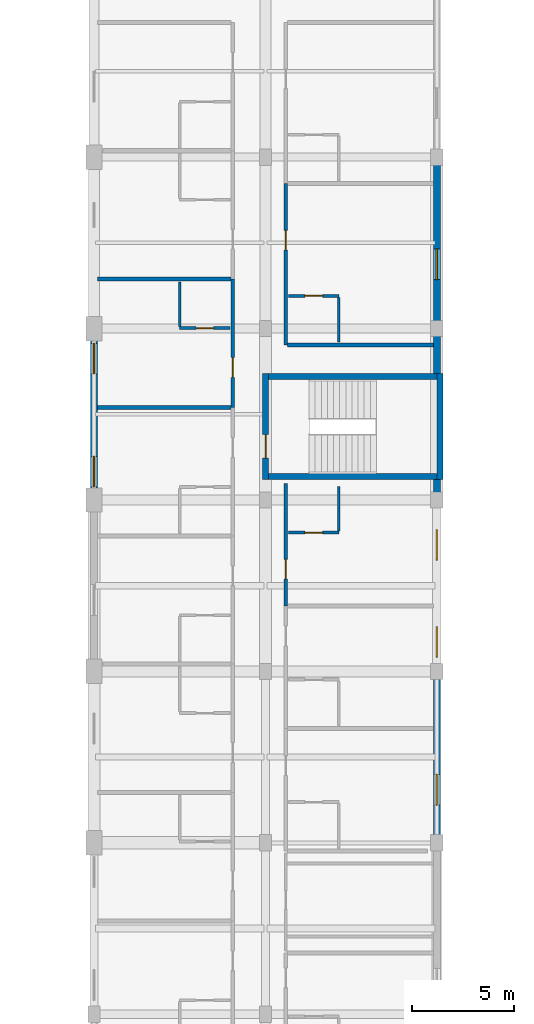
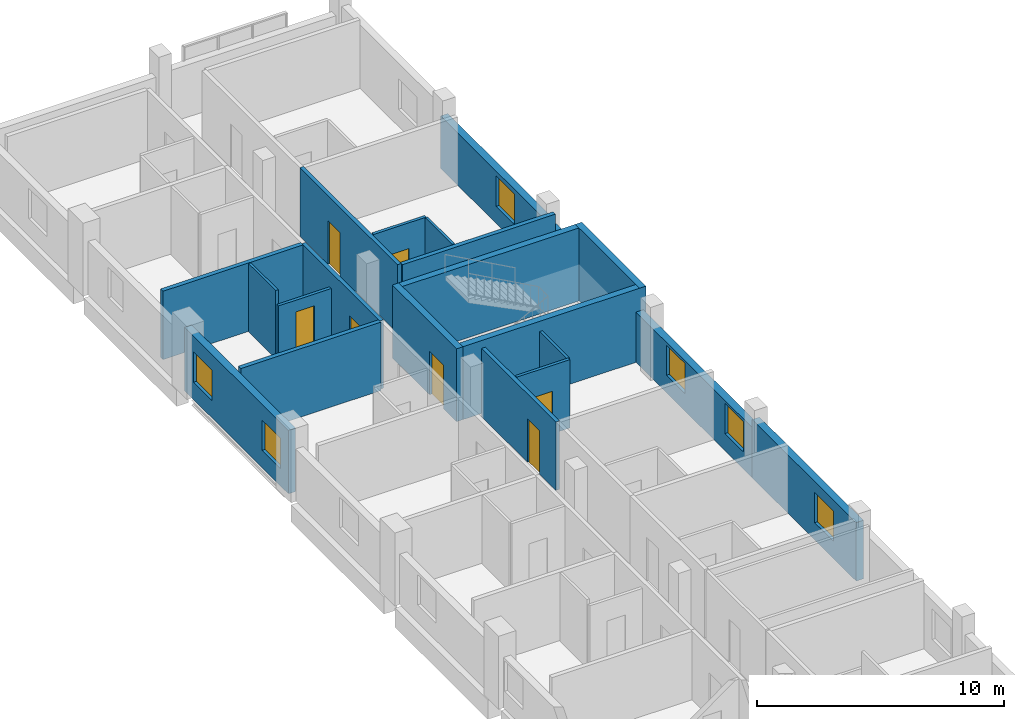
# One storey, part 17 of 26: 21 walls, 7 doors, 6 windows, 13 openings.
"""IFC4 building model written with IfcOpenShell, lengths in metres."""

import ifcopenshell
import ifcopenshell.guid

model = None  # the IFC model being written
_history = None  # IfcOwnerHistory: only IFC2X3 demands one
_inside = {}  # id of a spatial element -> (the spatial element, [elements in it])
_under = {}  # id of a project, library or spatial element -> (it, [spatial elements below it])
_declared = {}  # id of a project -> (the project, [libraries it declares])
_typed = {}  # id of a type object -> (the type object, [elements of that type])
_made_of = {}  # id of a material, layer set ... -> (it, [elements and type objects made of it])


def new_model(schema):
    """Start an empty IFC model of exactly this schema.

    Asked for "IFC4X3", IfcOpenShell would pick the latest addendum, in which some entities
    have other attributes; the version numbers below select the first issue.
    IFC2X3 requires an IfcOwnerHistory on every rooted entity: one is made here for all.
    """
    global model, _history
    if schema == "IFC4X3":
        model = ifcopenshell.file(schema_version=(4, 3, 0, 0))
    else:
        model = ifcopenshell.file(schema=schema)
    _inside.clear()
    _under.clear()
    _declared.clear()
    _typed.clear()
    _made_of.clear()
    _history = None
    if model.schema == "IFC2X3":
        org = make("IfcOrganization", Name="unknown")
        user = make(
            "IfcPersonAndOrganization",
            ThePerson=make("IfcPerson", FamilyName="unknown"),
            TheOrganization=org,
        )
        app = make(
            "IfcApplication",
            ApplicationDeveloper=org,
            Version="unknown",
            ApplicationFullName="unknown",
            ApplicationIdentifier="unknown",
        )
        _history = make(
            "IfcOwnerHistory",
            OwningUser=user,
            OwningApplication=app,
            ChangeAction="ADDED",
            CreationDate=0,
        )
    return model


def make(cls, **values):
    """One entity of the class cls with the attributes given. An attribute that is None is left unset."""
    return model.create_entity(
        cls, **{name: value for name, value in values.items() if value is not None}
    )


def rooted(cls, **values):
    """An entity with a GlobalId (a new one), such as an element, a storey or a relation."""
    return make(cls, GlobalId=ifcopenshell.guid.new(), OwnerHistory=_history, **values)


def si_unit(unit_type, name, prefix=None):
    """IfcSIUnit, for example si_unit("LENGTHUNIT", "METRE", prefix="MILLI")."""
    return make("IfcSIUnit", UnitType=unit_type, Prefix=prefix, Name=name)


def derived_unit(unit_type, elements):
    """IfcDerivedUnit: a product of units, each with its exponent."""
    return make(
        "IfcDerivedUnit",
        Elements=[
            make("IfcDerivedUnitElement", Unit=unit, Exponent=power)
            for unit, power in elements
        ],
        UnitType=unit_type,
    )


def assignment(units):
    """IfcUnitAssignment: the units of a project."""
    return None if units is None else make("IfcUnitAssignment", Units=units)


def point(xyz):
    """IfcCartesianPoint."""
    return None if xyz is None else make("IfcCartesianPoint", Coordinates=xyz)


def direction(xyz):
    """IfcDirection."""
    return None if xyz is None else make("IfcDirection", DirectionRatios=xyz)


def frame(location, z_axis=None, x_axis=None):
    """IfcAxis2Placement3D, a coordinate frame: its origin and axes. An axis left out is left unset."""
    return make(
        "IfcAxis2Placement3D",
        Location=point(location),
        Axis=direction(z_axis),
        RefDirection=direction(x_axis),
    )


def frame_2d(location, x_axis=None):
    """IfcAxis2Placement2D, a coordinate frame in the plane: its origin and x axis."""
    return make(
        "IfcAxis2Placement2D", Location=point(location), RefDirection=direction(x_axis)
    )


def origin():
    """The frame at (0, 0, 0) with its axes left unset."""
    return frame((0.0, 0.0, 0.0))


def place(relative_to, where):
    """IfcLocalPlacement: puts the frame where relative to a parent placement (None: the world)."""
    return make(
        "IfcLocalPlacement", PlacementRelTo=relative_to, RelativePlacement=where
    )


def context(
    kind, dimensions, precision=None, world=None, true_north=None, identifier=None
):
    """IfcGeometricRepresentationContext, for example the 3D "Model" context."""
    return make(
        "IfcGeometricRepresentationContext",
        ContextIdentifier=identifier,
        ContextType=kind,
        CoordinateSpaceDimension=dimensions,
        Precision=precision,
        WorldCoordinateSystem=world,
        TrueNorth=true_north,
    )


def subcontext(parent, identifier, kind, view, scale=None):
    """IfcGeometricRepresentationSubContext, for example "Body" below "Model"."""
    return make(
        "IfcGeometricRepresentationSubContext",
        ContextIdentifier=identifier,
        ContextType=kind,
        ParentContext=parent,
        TargetScale=scale,
        TargetView=view,
    )


def project(units=None, contexts=None):
    """IfcProject with its units and contexts."""
    return rooted(
        "IfcProject",
        Name="project",
        RepresentationContexts=contexts,
        UnitsInContext=assignment(units),
    )


def spatial(cls, under=None, at=None, **own):
    """A site, building, storey or space (cls), placed at a placement, below another one or the project."""
    s = rooted(cls, ObjectPlacement=at, **own)
    if under is not None:
        _under.setdefault(under.id(), (under, []))[1].append(s)
    return s


def profile(cls, at=None, kind="AREA", **sizes):
    """A parametric profile (cls). Its sizes go by their IFC names, for example OverallWidth=200.0."""
    return make(cls, ProfileType=kind, Position=at, **sizes)


def rectangle(**sizes):
    """IfcRectangleProfileDef."""
    return profile("IfcRectangleProfileDef", **sizes)


def extrude(swept, where, along, depth):
    """IfcExtrudedAreaSolid: the profile swept, set in the frame where, extruded along a direction by depth."""
    return make(
        "IfcExtrudedAreaSolid",
        SweptArea=swept,
        Position=where,
        ExtrudedDirection=direction(along),
        Depth=depth,
    )


def shape(context_of_items, identifier, shape_type, items):
    """IfcShapeRepresentation: the items that make up one representation, for example the "Body"."""
    return make(
        "IfcShapeRepresentation",
        ContextOfItems=context_of_items,
        RepresentationIdentifier=identifier,
        RepresentationType=shape_type,
        Items=items,
    )


def material(Name=None, Category=None):
    """IfcMaterial."""
    return make("IfcMaterial", Name=Name, Category=Category)


def layer(
    of_material, thickness, ventilated=None, Name=None, Category=None, Priority=None
):
    """IfcMaterialLayer: one layer of a wall or slab, of a material (None: an air gap)."""
    return make(
        "IfcMaterialLayer",
        Material=of_material,
        LayerThickness=thickness,
        IsVentilated=ventilated,
        Name=Name,
        Category=Category,
        Priority=Priority,
    )


def layer_set(layers, Name=None):
    """IfcMaterialLayerSet."""
    return make("IfcMaterialLayerSet", MaterialLayers=layers, LayerSetName=Name)


def made_of(thing, what):
    """Note that an element or type object is made of a material, layer set ...; save() writes the relation."""
    if what is not None:
        _made_of.setdefault(what.id(), (what, []))[1].append(thing)
    return thing


def type_object(cls, material=None, **own):
    """A type object (cls), such as IfcWallType, which elements share."""
    return made_of(rooted(cls, **own), material)


def element(
    cls,
    number,
    at=None,
    inside=None,
    cuts=None,
    type_object=None,
    material=None,
    context=None,
    identifier="Body",
    shape_type=None,
    held_by="IfcProductDefinitionShape",
    body=None,
    shapes=None,
    **own,
):
    """One element of the class cls, such as IfcWall. Its Tag is "e" and its number.

    at: its placement. inside: the storey or other place that contains it. cuts: it is an
    opening in that element (IfcRelVoidsElement). A single representation is given by context,
    identifier, shape_type and body (its items); several are given by shapes. held_by: the class
    of the entity that holds the representations. save() writes the other relations.
    """
    e = rooted(cls, Tag="e%d" % number, ObjectPlacement=at, **own)
    if body is not None:
        shapes = [shape(context, identifier, shape_type, body)]
    if shapes is not None:
        e.Representation = make(held_by, Representations=shapes)
    if inside is not None:
        _inside.setdefault(inside.id(), (inside, []))[1].append(e)
    if cuts is not None:
        rooted(
            "IfcRelVoidsElement", RelatingBuildingElement=cuts, RelatedOpeningElement=e
        )
    if type_object is not None:
        _typed.setdefault(type_object.id(), (type_object, []))[1].append(e)
    return made_of(e, material)


def fill(opening, filler):
    """IfcRelFillsElement: the door or window that sits in an opening."""
    return rooted(
        "IfcRelFillsElement",
        RelatingOpeningElement=opening,
        RelatedBuildingElement=filler,
    )


def aggregate(whole, parts):
    """IfcRelAggregates: a whole, such as a stair, and the parts it consists of."""
    return rooted("IfcRelAggregates", RelatingObject=whole, RelatedObjects=parts)


def save(model, path):
    """Write the relations noted so far, then the file.

    IfcRelAggregates (storeys below a building ...), IfcRelContainedInSpatialStructure (elements
    in a storey), IfcRelDefinesByType, IfcRelAssociatesMaterial and IfcRelDeclares: one each for
    every whole, place, type object, material and project.
    """
    for whole, parts in _under.values():
        aggregate(whole, parts)
    for where, things in _inside.values():
        rooted(
            "IfcRelContainedInSpatialStructure",
            RelatedElements=things,
            RelatingStructure=where,
        )
    for kind, things in _typed.values():
        rooted("IfcRelDefinesByType", RelatedObjects=things, RelatingType=kind)
    for what, things in _made_of.values():
        rooted("IfcRelAssociatesMaterial", RelatedObjects=things, RelatingMaterial=what)
    for by, libraries in _declared.values():
        rooted("IfcRelDeclares", RelatingContext=by, RelatedDefinitions=libraries)
    model.write(path)


model = new_model("IFC4")

# Units and contexts
model_context = context("Model", 3, precision=1e-05, world=origin(), true_north=direction((0.0, 1.0)))
body_context = subcontext(model_context, "Body", "Model", "MODEL_VIEW")
ifc_project = project(units=[si_unit("LENGTHUNIT", "METRE"), si_unit("AREAUNIT", "SQUARE_METRE"), si_unit("VOLUMEUNIT", "CUBIC_METRE"), si_unit("PLANEANGLEUNIT", "RADIAN"), si_unit("MASSUNIT", "GRAM", prefix="KILO"), derived_unit("THERMALTRANSMITTANCEUNIT", [(si_unit("POWERUNIT", "WATT"), 1), (si_unit("LENGTHUNIT", "METRE"), -2), (si_unit("THERMODYNAMICTEMPERATUREUNIT", "KELVIN"), -1)])], contexts=[model_context])

# Site, building, storey
site_placement = place(None, origin())
site = spatial("IfcSite", under=ifc_project, at=site_placement, CompositionType="ELEMENT")
building_placement = place(site_placement, origin())
building = spatial("IfcBuilding", under=site, at=building_placement, Name="Barrovel Congress Hotel", CompositionType="ELEMENT")
storey_placement = place(building_placement, frame((0.0, 0.0, 21.89990234375)))
storey = spatial("IfcBuildingStorey", under=building, at=storey_placement, Name="L05", CompositionType="ELEMENT", Elevation=21.89990234375)

# Wall, openings, windows
ifc_material_1 = material(Name="Fired Clay Brick Masonry", Category="masonry")
ifc_layer_1 = layer(ifc_material_1, 0.340087890625)
ifc_layer_set_1 = layer_set([ifc_layer_1], Name="Fired Clay Brick Masonry")
wall_type_1 = type_object("IfcWallType", Name="EW-BRK340", PredefinedType="STANDARD", material=ifc_layer_set_1)
wall_1_placement = place(storey_placement, frame((50.39990234375, 46.199951171875, 0.0), z_axis=(0.0, 0.0, 1.0), x_axis=(0.0, 1.0, 0.0)))
wall_1 = element("IfcWall", 1, at=wall_1_placement, inside=storey, type_object=wall_type_1, Name="EW:L05:HW-E-1", PredefinedType="STANDARD", context=body_context, shape_type="SweptSolid", body=[
    extrude(rectangle(XDim=9.400146484375, YDim=0.340087890625, at=frame_2d((4.7001953125, 0.0))), origin(), (0.0, 0.0, 1.0), 2.47998046875),
])
opening_1_placement = place(wall_1_placement, frame((0.699951171875, 0.0, 0.85009765625)))
opening_1 = element("IfcOpeningElement", 2, at=opening_1_placement, cuts=wall_1, Name="Opening WN-07", PredefinedType="OPENING", context=body_context, shape_type="SweptSolid", body=[
    extrude(rectangle(XDim=1.5, YDim=1.5, at=frame_2d((0.75, 0.75))), frame((0.0, 0.18017578125, 0.0), z_axis=(0.0, -1.0, 0.0), x_axis=(1.0, 0.0, 0.0)), (0.0, 0.0, 1.0), 0.360107421875),
])
opening_2_placement = place(wall_1_placement, frame((5.449951171875, 0.0, 0.85009765625)))
opening_2 = element("IfcOpeningElement", 3, at=opening_2_placement, cuts=wall_1, Name="Opening WN-07", PredefinedType="OPENING", context=body_context, shape_type="SweptSolid", body=[
    extrude(rectangle(XDim=1.5, YDim=1.5, at=frame_2d((0.75, 0.75))), frame((0.0, 0.18017578125, 0.0), z_axis=(0.0, -1.0, 0.0), x_axis=(1.0, 0.0, 0.0)), (0.0, 0.0, 1.0), 0.360107421875),
])
ifc_material_2 = material(Name="Double Low-E Insulated Glazing", Category="glass")
window_type = type_object("IfcWindowType", Name="WIN-WN-07", PartitioningType="SINGLE_PANEL", PredefinedType="WINDOW", material=ifc_material_2)
window_1_placement = place(opening_1_placement, origin())
window_1 = element("IfcWindow", 4, at=window_1_placement, inside=storey, type_object=window_type, Name="WIN:L05:U45", OverallHeight=1.5, OverallWidth=1.5, PartitioningType="SINGLE_PANEL", PredefinedType="WINDOW", context=body_context, shape_type="SweptSolid", body=[
    extrude(rectangle(XDim=1.5, YDim=1.5, at=frame_2d((0.75, 0.75))), frame((0.0, 0.030029296875, 0.0), z_axis=(0.0, -1.0, 0.0), x_axis=(1.0, 0.0, 0.0)), (0.0, 0.0, 1.0), 0.06005859375),
])
fill(opening_1, window_1)
window_2_placement = place(opening_2_placement, origin())
window_2 = element("IfcWindow", 5, at=window_2_placement, inside=storey, type_object=window_type, Name="WIN:L05:U46", OverallHeight=1.5, OverallWidth=1.5, PartitioningType="SINGLE_PANEL", PredefinedType="WINDOW", context=body_context, shape_type="SweptSolid", body=[
    extrude(rectangle(XDim=1.5, YDim=1.5, at=frame_2d((0.75, 0.75))), frame((0.0, 0.030029296875, 0.0), z_axis=(0.0, -1.0, 0.0), x_axis=(1.0, 0.0, 0.0)), (0.0, 0.0, 1.0), 0.06005859375),
])
fill(opening_2, window_2)

# Wall, opening, window
wall_2_placement = place(storey_placement, frame((50.39990234375, 37.800048828125, 0.0), z_axis=(0.0, 0.0, 1.0), x_axis=(0.0, 1.0, 0.0)))
wall_2 = element("IfcWall", 6, at=wall_2_placement, inside=storey, type_object=wall_type_1, Name="EW:L05:HW-E-1:P03", PredefinedType="STANDARD", context=body_context, shape_type="SweptSolid", body=[
    extrude(rectangle(XDim=8.39990234375, YDim=0.340087890625, at=frame_2d((4.199951171875, 0.0))), origin(), (0.0, 0.0, 1.0), 2.880126953125),
])
opening_3_placement = place(wall_2_placement, frame((1.85009765625, 0.0, 0.85009765625)))
opening_3 = element("IfcOpeningElement", 7, at=opening_3_placement, cuts=wall_2, Name="Opening WN-07", PredefinedType="OPENING", context=body_context, shape_type="SweptSolid", body=[
    extrude(rectangle(XDim=1.5, YDim=1.5, at=frame_2d((0.75, 0.75))), frame((0.0, 0.18017578125, 0.0), z_axis=(0.0, -1.0, 0.0), x_axis=(1.0, 0.0, 0.0)), (0.0, 0.0, 1.0), 0.360107421875),
])
window_3_placement = place(opening_3_placement, origin())
window_3 = element("IfcWindow", 8, at=window_3_placement, inside=storey, type_object=window_type, Name="WIN:L05:U44", OverallHeight=1.5, OverallWidth=1.5, PartitioningType="SINGLE_PANEL", PredefinedType="WINDOW", context=body_context, shape_type="SweptSolid", body=[
    extrude(rectangle(XDim=1.5, YDim=1.5, at=frame_2d((0.75, 0.75))), frame((0.0, 0.030029296875, 0.0), z_axis=(0.0, -1.0, 0.0), x_axis=(1.0, 0.0, 0.0)), (0.0, 0.0, 1.0), 0.06005859375),
])
fill(opening_3, window_3)

# Wall
wall_3_placement = place(storey_placement, frame((50.39990234375, 60.800048828125, 0.0), z_axis=(0.0, 0.0, 1.0), x_axis=(0.0, 1.0, 0.0)))
element("IfcWall", 9, at=wall_3_placement, inside=storey, type_object=wall_type_1, Name="EW:L05:HW-E-2:P01", PredefinedType="STANDARD", context=body_context, shape_type="SweptSolid", body=[
    extrude(rectangle(XDim=2.199951171875, YDim=0.340087890625, at=frame_2d((1.10009765625, 0.0))), origin(), (0.0, 0.0, 1.0), 2.47998046875),
])

# Wall, opening, window
wall_4_placement = place(storey_placement, frame((50.39990234375, 63.0, 0.0), z_axis=(0.0, 0.0, 1.0), x_axis=(0.0, 1.0, 0.0)))
wall_4 = element("IfcWall", 10, at=wall_4_placement, inside=storey, type_object=wall_type_1, Name="EW:L05:HW-E-2:P02", PredefinedType="STANDARD", context=body_context, shape_type="SweptSolid", body=[
    extrude(rectangle(XDim=8.39990234375, YDim=0.340087890625, at=frame_2d((4.199951171875, 0.0))), origin(), (0.0, 0.0, 1.0), 2.580078125),
])
opening_4_placement = place(wall_4_placement, frame((2.39990234375, 0.0, 0.85009765625)))
opening_4 = element("IfcOpeningElement", 11, at=opening_4_placement, cuts=wall_4, Name="Opening WN-07", PredefinedType="OPENING", context=body_context, shape_type="SweptSolid", body=[
    extrude(rectangle(XDim=1.5, YDim=1.5, at=frame_2d((0.75, 0.75))), frame((0.0, 0.18017578125, 0.0), z_axis=(0.0, -1.0, 0.0), x_axis=(1.0, 0.0, 0.0)), (0.0, 0.0, 1.0), 0.360107421875),
])
window_4_placement = place(opening_4_placement, origin())
window_4 = element("IfcWindow", 12, at=window_4_placement, inside=storey, type_object=window_type, Name="WIN:L05:U47", OverallHeight=1.5, OverallWidth=1.5, PartitioningType="SINGLE_PANEL", PredefinedType="WINDOW", context=body_context, shape_type="SweptSolid", body=[
    extrude(rectangle(XDim=1.5, YDim=1.5, at=frame_2d((0.75, 0.75))), frame((0.0, 0.030029296875, 0.0), z_axis=(0.0, -1.0, 0.0), x_axis=(1.0, 0.0, 0.0)), (0.0, 0.0, 1.0), 0.06005859375),
])
fill(opening_4, window_4)

# Wall, openings, windows
wall_5_placement = place(storey_placement, frame((33.60009765625, 63.0, 0.0), z_axis=(0.0, 0.0, 1.0), x_axis=(0.0, -1.0, 0.0)))
wall_5 = element("IfcWall", 13, at=wall_5_placement, inside=storey, type_object=wall_type_1, Name="EW:L05:HW-W:P02", PredefinedType="STANDARD", context=body_context, shape_type="SweptSolid", body=[
    extrude(rectangle(XDim=8.39990234375, YDim=0.340087890625, at=frame_2d((4.199951171875, 0.0))), origin(), (0.0, 0.0, 1.0), 3.1259765625),
])
opening_5_placement = place(wall_5_placement, frame((6.26123046875, 0.0, 0.85009765625)))
opening_5 = element("IfcOpeningElement", 14, at=opening_5_placement, cuts=wall_5, Name="Opening WN-07", PredefinedType="OPENING", context=body_context, shape_type="SweptSolid", body=[
    extrude(rectangle(XDim=1.5, YDim=1.5, at=frame_2d((0.75, 0.75))), frame((0.0, 0.18017578125, 0.0), z_axis=(0.0, -1.0, 0.0), x_axis=(1.0, 0.0, 0.0)), (0.0, 0.0, 1.0), 0.360107421875),
])
opening_6_placement = place(wall_5_placement, frame((0.722412109375, 0.0, 0.85009765625)))
opening_6 = element("IfcOpeningElement", 15, at=opening_6_placement, cuts=wall_5, Name="Opening WN-07", PredefinedType="OPENING", context=body_context, shape_type="SweptSolid", body=[
    extrude(rectangle(XDim=1.5, YDim=1.5, at=frame_2d((0.75, 0.75))), frame((0.0, 0.18017578125, 0.0), z_axis=(0.0, -1.0, 0.0), x_axis=(1.0, 0.0, 0.0)), (0.0, 0.0, 1.0), 0.360107421875),
])
window_5_placement = place(opening_5_placement, origin())
window_5 = element("IfcWindow", 16, at=window_5_placement, inside=storey, type_object=window_type, Name="WIN:L05:U38", OverallHeight=1.5, OverallWidth=1.5, PartitioningType="SINGLE_PANEL", PredefinedType="WINDOW", context=body_context, shape_type="SweptSolid", body=[
    extrude(rectangle(XDim=1.5, YDim=1.5, at=frame_2d((0.75, 0.75))), frame((0.0, 0.030029296875, 0.0), z_axis=(0.0, -1.0, 0.0), x_axis=(1.0, 0.0, 0.0)), (0.0, 0.0, 1.0), 0.06005859375),
])
fill(opening_5, window_5)
window_6_placement = place(opening_6_placement, origin())
window_6 = element("IfcWindow", 17, at=window_6_placement, inside=storey, type_object=window_type, Name="WIN:L05:U39", OverallHeight=1.5, OverallWidth=1.5, PartitioningType="SINGLE_PANEL", PredefinedType="WINDOW", context=body_context, shape_type="SweptSolid", body=[
    extrude(rectangle(XDim=1.5, YDim=1.5, at=frame_2d((0.75, 0.75))), frame((0.0, 0.030029296875, 0.0), z_axis=(0.0, -1.0, 0.0), x_axis=(1.0, 0.0, 0.0)), (0.0, 0.0, 1.0), 0.06005859375),
])
fill(opening_6, window_6)

# Wall, opening, door
ifc_material_3 = material(Name="Gypsum Acoustic Stud", Category="gypsum")
ifc_layer_2 = layer(ifc_material_3, 0.179931640625)
ifc_layer_set_2 = layer_set([ifc_layer_2], Name="Gypsum Acoustic Stud")
wall_type_2 = type_object("IfcWallType", Name="PW-ACU-180", PredefinedType="PARTITIONING", material=ifc_layer_set_2)
wall_6_placement = place(storey_placement, frame((40.39990234375, 59.13330078125, 0.0), z_axis=(0.0, 0.0, 1.0), x_axis=(0.0, 1.0, 0.0)))
wall_6 = element("IfcWall", 18, at=wall_6_placement, inside=storey, type_object=wall_type_2, Name="PW:L05:U39:COR", PredefinedType="PARTITIONING", context=body_context, shape_type="SweptSolid", body=[
    extrude(rectangle(XDim=6.288818359375, YDim=0.179931640625, at=frame_2d((3.14453125, 0.0))), origin(), (0.0, 0.0, 1.0), 3.375),
])
opening_7_placement = place(wall_6_placement, frame((1.4794921875, 0.0, 0.0)))
opening_7 = element("IfcOpeningElement", 19, at=opening_7_placement, cuts=wall_6, Name="Opening ID-HTL", PredefinedType="OPENING", context=body_context, shape_type="SweptSolid", body=[
    extrude(rectangle(XDim=0.9599609375, YDim=2.14990234375, at=frame_2d((0.47998046875, 1.074951171875))), frame((0.0, 0.10009765625, 0.0), z_axis=(0.0, -1.0, 0.0), x_axis=(1.0, 0.0, 0.0)), (0.0, 0.0, 1.0), 0.199951171875),
])
ifc_material_4 = material(Name="Solid Oak Acoustic Timber Door", Category="wood")
door_type_1 = type_object("IfcDoorType", Name="IDR-ID-HTL", OperationType="NOTDEFINED", PredefinedType="DOOR", material=ifc_material_4)
door_1_placement = place(opening_7_placement, origin())
door_1 = element("IfcDoor", 20, at=door_1_placement, inside=storey, type_object=door_type_1, Name="DR:L05:U39:ENT", OperationType="SINGLE_SWING_RIGHT", OverallHeight=2.14990234375, OverallWidth=0.9599609375, PredefinedType="DOOR", context=body_context, shape_type="SweptSolid", body=[
    extrude(rectangle(XDim=0.9599609375, YDim=2.14990234375, at=frame_2d((0.47998046875, 1.074951171875))), frame((0.0, 0.02490234375, 0.0), z_axis=(0.0, -1.0, 0.0), x_axis=(1.0, 0.0, 0.0)), (0.0, 0.0, 1.0), 0.050048828125),
])
fill(opening_7, door_1)

wall_7_placement = place(storey_placement, frame((43.0, 49.39990234375, 0.0), z_axis=(0.0, 0.0, 1.0), x_axis=(0.0, 1.0, 0.0)))
wall_7 = element("IfcWall", 21, at=wall_7_placement, inside=storey, type_object=wall_type_2, Name="PW:L05:U46:COR", PredefinedType="PARTITIONING", context=body_context, shape_type="SweptSolid", body=[
    extrude(rectangle(XDim=6.0, YDim=0.179931640625, at=frame_2d((3.0, 0.0))), origin(), (0.0, 0.0, 1.0), 3.375),
])
opening_8_placement = place(wall_7_placement, frame((1.3349609375, 0.0, 0.0)))
opening_8 = element("IfcOpeningElement", 22, at=opening_8_placement, cuts=wall_7, Name="Opening ID-HTL", PredefinedType="OPENING", context=body_context, shape_type="SweptSolid", body=[
    extrude(rectangle(XDim=0.9599609375, YDim=2.14990234375, at=frame_2d((0.47998046875, 1.074951171875))), frame((0.0, 0.10009765625, 0.0), z_axis=(0.0, -1.0, 0.0), x_axis=(1.0, 0.0, 0.0)), (0.0, 0.0, 1.0), 0.199951171875),
])
door_2_placement = place(opening_8_placement, origin())
door_2 = element("IfcDoor", 23, at=door_2_placement, inside=storey, type_object=door_type_1, Name="DR:L05:U46:ENT", OperationType="SINGLE_SWING_RIGHT", OverallHeight=2.14990234375, OverallWidth=0.9599609375, PredefinedType="DOOR", context=body_context, shape_type="SweptSolid", body=[
    extrude(rectangle(XDim=0.9599609375, YDim=2.14990234375, at=frame_2d((0.47998046875, 1.074951171875))), frame((0.0, 0.02490234375, 0.0), z_axis=(0.0, -1.0, 0.0), x_axis=(1.0, 0.0, 0.0)), (0.0, 0.0, 1.0), 0.050048828125),
])
fill(opening_8, door_2)

wall_8_placement = place(storey_placement, frame((43.0, 62.199951171875, 0.0), z_axis=(0.0, 0.0, 1.0), x_axis=(0.0, 1.0, 0.0)))
wall_8 = element("IfcWall", 24, at=wall_8_placement, inside=storey, type_object=wall_type_2, Name="PW:L05:U47:COR", PredefinedType="PARTITIONING", context=body_context, shape_type="SweptSolid", body=[
    extrude(rectangle(XDim=7.900146484375, YDim=0.179931640625, at=frame_2d((3.9501953125, 0.0))), origin(), (0.0, 0.0, 1.0), 3.375),
])
opening_9_placement = place(wall_8_placement, frame((4.655029296875, 0.0, 0.0)))
opening_9 = element("IfcOpeningElement", 25, at=opening_9_placement, cuts=wall_8, Name="Opening ID-HTL", PredefinedType="OPENING", context=body_context, shape_type="SweptSolid", body=[
    extrude(rectangle(XDim=0.9599609375, YDim=2.14990234375, at=frame_2d((0.47998046875, 1.074951171875))), frame((0.0, 0.10009765625, 0.0), z_axis=(0.0, -1.0, 0.0), x_axis=(1.0, 0.0, 0.0)), (0.0, 0.0, 1.0), 0.199951171875),
])
door_3_placement = place(opening_9_placement, origin())
door_3 = element("IfcDoor", 26, at=door_3_placement, inside=storey, type_object=door_type_1, Name="DR:L05:U47:ENT", OperationType="SINGLE_SWING_RIGHT", OverallHeight=2.14990234375, OverallWidth=0.9599609375, PredefinedType="DOOR", context=body_context, shape_type="SweptSolid", body=[
    extrude(rectangle(XDim=0.9599609375, YDim=2.14990234375, at=frame_2d((0.47998046875, 1.074951171875))), frame((0.0, 0.02490234375, 0.0), z_axis=(0.0, -1.0, 0.0), x_axis=(1.0, 0.0, 0.0)), (0.0, 0.0, 1.0), 0.050048828125),
])
fill(opening_9, door_3)

# Walls
ifc_layer_3 = layer(ifc_material_3, 0.1201171875)
ifc_layer_set_3 = layer_set([ifc_layer_3], Name="Gypsum Acoustic Stud")
wall_type_3 = type_object("IfcWallType", Name="PW-INT-120", PredefinedType="PARTITIONING", material=ifc_layer_set_3)
for number, where, z_axis, x_axis, name in (
    (27, (37.800048828125, 63.09228515625, 0.0), (0.0, 0.0, 1.0), (0.0, 1.0, 0.0), "PW:L05:U39:B2"),
    (28, (45.60009765625, 53.070068359375, 0.0), (0.0, 0.0, 1.0), (0.0, 1.0, 0.0), "PW:L05:U46:B2"),
    (29, (45.60009765625, 62.340087890625, 0.0), (0.0, 0.0, 1.0), (0.0, 1.0, 0.0), "PW:L05:U47:B2"),
):
    element("IfcWall", number, at=place(storey_placement, frame(where, z_axis=z_axis, x_axis=x_axis)), inside=storey, type_object=wall_type_3, Name=name, PredefinedType="PARTITIONING", context=body_context, shape_type="SweptSolid", body=[
        extrude(rectangle(XDim=2.18994140625, YDim=0.1201171875, at=frame_2d((1.094970703125, 0.0))), origin(), (0.0, 0.0, 1.0), 3.375),
    ])
ifc_layer_4 = layer(ifc_material_1, 0.199951171875)
ifc_layer_set_4 = layer_set([ifc_layer_4], Name="Fired Clay Brick Masonry")
wall_type_4 = type_object("IfcWallType", Name="PW-MAS-200", PredefinedType="PARTITIONING", material=ifc_layer_set_4)
for number, where, z_axis, x_axis, name in (
    (30, (33.77001953125, 59.13330078125, 0.0), (0.0, 0.0, 1.0), (1.0, 0.0, 0.0), "PW:L05:U38:DEM"),
    (31, (33.77001953125, 65.422119140625, 0.0), (0.0, 0.0, 1.0), (1.0, 0.0, 0.0), "PW:L05:U39:DEM"),
):
    element("IfcWall", number, at=place(storey_placement, frame(where, z_axis=z_axis, x_axis=x_axis)), inside=storey, type_object=wall_type_4, Name=name, PredefinedType="PARTITIONING", context=body_context, shape_type="SweptSolid", body=[
        extrude(rectangle(XDim=6.5400390625, YDim=0.199951171875, at=frame_2d((3.27001953125, 0.0))), origin(), (0.0, 0.0, 1.0), 3.375),
    ])
wall_9_placement = place(storey_placement, frame((43.090087890625, 62.199951171875, 0.0), z_axis=(0.0, 0.0, 1.0), x_axis=(1.0, 0.0, 0.0)))
element("IfcWall", 32, at=wall_9_placement, inside=storey, type_object=wall_type_4, Name="PW:L05:U47:DEM0", PredefinedType="PARTITIONING", context=body_context, shape_type="SweptSolid", body=[
    extrude(rectangle(XDim=7.139892578125, YDim=0.199951171875, at=frame_2d((3.56982421875, 0.0))), origin(), (0.0, 0.0, 1.0), 3.375),
])

# Wall, opening, door
ifc_material_5 = material(Name="Gypsum Moisture Board", Category="gypsum")
ifc_layer_5 = layer(ifc_material_5, 0.139892578125)
ifc_layer_set_5 = layer_set([ifc_layer_5], Name="Gypsum Moisture Board")
wall_type_5 = type_object("IfcWallType", Name="PW-WET-140", PredefinedType="PARTITIONING", material=ifc_layer_set_5)
wall_10_placement = place(storey_placement, frame((37.800048828125, 63.022216796875, 0.0), z_axis=(0.0, 0.0, 1.0), x_axis=(1.0, 0.0, 0.0)))
wall_10 = element("IfcWall", 33, at=wall_10_placement, inside=storey, type_object=wall_type_5, Name="PW:L05:U39:B1", PredefinedType="PARTITIONING", context=body_context, shape_type="SweptSolid", body=[
    extrude(rectangle(XDim=2.4599609375, YDim=0.139892578125, at=frame_2d((1.22998046875, 0.0))), origin(), (0.0, 0.0, 1.0), 2.68017578125),
])
opening_10_placement = place(wall_10_placement, frame((0.800048828125, 0.0, 0.0)))
opening_10 = element("IfcOpeningElement", 34, at=opening_10_placement, cuts=wall_10, Name="Opening ID-ENS", PredefinedType="OPENING", context=body_context, shape_type="SweptSolid", body=[
    extrude(rectangle(XDim=0.860107421875, YDim=2.10009765625, at=frame_2d((0.43017578125, 1.050048828125))), frame((0.0, 0.080078125, 0.0), z_axis=(0.0, -1.0, 0.0), x_axis=(1.0, 0.0, 0.0)), (0.0, 0.0, 1.0), 0.159912109375),
])
ifc_material_6 = material(Name="Lacquered Timber Moisture Door", Category="wood")
door_type_2 = type_object("IfcDoorType", Name="IDR-ID-ENS", OperationType="NOTDEFINED", PredefinedType="DOOR", material=ifc_material_6)
door_4_placement = place(opening_10_placement, origin())
door_4 = element("IfcDoor", 35, at=door_4_placement, inside=storey, type_object=door_type_2, Name="DR:L05:U39:ENS", OperationType="SINGLE_SWING_LEFT", OverallHeight=2.10009765625, OverallWidth=0.860107421875, PredefinedType="DOOR", context=body_context, shape_type="SweptSolid", body=[
    extrude(rectangle(XDim=0.860107421875, YDim=2.10009765625, at=frame_2d((0.43017578125, 1.050048828125))), frame((0.0, 0.02490234375, 0.0), z_axis=(0.0, -1.0, 0.0), x_axis=(1.0, 0.0, 0.0)), (0.0, 0.0, 1.0), 0.050048828125),
])
fill(opening_10, door_4)

wall_11_placement = place(storey_placement, frame((43.139892578125, 53.0, 0.0), z_axis=(0.0, 0.0, 1.0), x_axis=(1.0, 0.0, 0.0)))
wall_11 = element("IfcWall", 36, at=wall_11_placement, inside=storey, type_object=wall_type_5, Name="PW:L05:U46:B1", PredefinedType="PARTITIONING", context=body_context, shape_type="SweptSolid", body=[
    extrude(rectangle(XDim=2.460205078125, YDim=0.139892578125, at=frame_2d((1.22998046875, 0.0))), origin(), (0.0, 0.0, 1.0), 3.375),
])
opening_11_placement = place(wall_11_placement, frame((0.800048828125, 0.0, 0.0)))
opening_11 = element("IfcOpeningElement", 37, at=opening_11_placement, cuts=wall_11, Name="Opening ID-ENS", PredefinedType="OPENING", context=body_context, shape_type="SweptSolid", body=[
    extrude(rectangle(XDim=0.860107421875, YDim=2.10009765625, at=frame_2d((0.43017578125, 1.050048828125))), frame((0.0, 0.080078125, 0.0), z_axis=(0.0, -1.0, 0.0), x_axis=(1.0, 0.0, 0.0)), (0.0, 0.0, 1.0), 0.159912109375),
])
door_5_placement = place(opening_11_placement, origin())
door_5 = element("IfcDoor", 38, at=door_5_placement, inside=storey, type_object=door_type_2, Name="DR:L05:U46:ENS", OperationType="SINGLE_SWING_LEFT", OverallHeight=2.10009765625, OverallWidth=0.860107421875, PredefinedType="DOOR", context=body_context, shape_type="SweptSolid", body=[
    extrude(rectangle(XDim=0.860107421875, YDim=2.10009765625, at=frame_2d((0.43017578125, 1.050048828125))), frame((0.0, 0.02490234375, 0.0), z_axis=(0.0, -1.0, 0.0), x_axis=(1.0, 0.0, 0.0)), (0.0, 0.0, 1.0), 0.050048828125),
])
fill(opening_11, door_5)

wall_12_placement = place(storey_placement, frame((43.139892578125, 64.60009765625, 0.0), z_axis=(0.0, 0.0, 1.0), x_axis=(1.0, 0.0, 0.0)))
wall_12 = element("IfcWall", 39, at=wall_12_placement, inside=storey, type_object=wall_type_5, Name="PW:L05:U47:B1", PredefinedType="PARTITIONING", context=body_context, shape_type="SweptSolid", body=[
    extrude(rectangle(XDim=2.460205078125, YDim=0.139892578125, at=frame_2d((1.22998046875, 0.0))), origin(), (0.0, 0.0, 1.0), 3.375),
])
opening_12_placement = place(wall_12_placement, frame((0.800048828125, 0.0, 0.0)))
opening_12 = element("IfcOpeningElement", 40, at=opening_12_placement, cuts=wall_12, Name="Opening ID-ENS", PredefinedType="OPENING", context=body_context, shape_type="SweptSolid", body=[
    extrude(rectangle(XDim=0.860107421875, YDim=2.10009765625, at=frame_2d((0.43017578125, 1.050048828125))), frame((0.0, 0.080078125, 0.0), z_axis=(0.0, -1.0, 0.0), x_axis=(1.0, 0.0, 0.0)), (0.0, 0.0, 1.0), 0.159912109375),
])
door_6_placement = place(opening_12_placement, origin())
door_6 = element("IfcDoor", 41, at=door_6_placement, inside=storey, type_object=door_type_2, Name="DR:L05:U47:ENS", OperationType="SINGLE_SWING_LEFT", OverallHeight=2.10009765625, OverallWidth=0.860107421875, PredefinedType="DOOR", context=body_context, shape_type="SweptSolid", body=[
    extrude(rectangle(XDim=0.860107421875, YDim=2.10009765625, at=frame_2d((0.43017578125, 1.050048828125))), frame((0.0, 0.02490234375, 0.0), z_axis=(0.0, -1.0, 0.0), x_axis=(1.0, 0.0, 0.0)), (0.0, 0.0, 1.0), 0.050048828125),
])
fill(opening_12, door_6)

# Walls
ifc_material_7 = material(Name="Concrete C40", Category="concrete")
ifc_layer_6 = layer(ifc_material_7, 0.300048828125)
ifc_layer_set_6 = layer_set([ifc_layer_6], Name="Concrete C40")
wall_type_6 = type_object("IfcWallType", Name="SW-C40-300", PredefinedType="SHEAR", material=ifc_layer_set_6)
wall_13_placement = place(storey_placement, frame((41.860107421875, 55.75, 0.0), z_axis=(0.0, 0.0, 1.0), x_axis=(1.0, 0.0, 0.0)))
element("IfcWall", 42, at=wall_13_placement, inside=storey, type_object=wall_type_6, Name="SHW:XS-05:L05:S", PredefinedType="SHEAR", context=body_context, shape_type="SweptSolid", body=[
    extrude(rectangle(XDim=8.83984375, YDim=0.300048828125, at=frame_2d((4.419921875, 0.0))), origin(), (0.0, 0.0, 1.0), 3.60009765625),
])
wall_14_placement = place(storey_placement, frame((50.550048828125, 55.60009765625, 0.0), z_axis=(0.0, 0.0, 1.0), x_axis=(0.0, 1.0, 0.0)))
element("IfcWall", 43, at=wall_14_placement, inside=storey, type_object=wall_type_6, Name="SHW:XS-05:L05:E", PredefinedType="SHEAR", context=body_context, shape_type="SweptSolid", body=[
    extrude(rectangle(XDim=5.199951171875, YDim=0.300048828125, at=frame_2d((2.60009765625, 0.0))), origin(), (0.0, 0.0, 1.0), 3.60009765625),
])
wall_15_placement = place(storey_placement, frame((50.699951171875, 60.64990234375, 0.0), z_axis=(0.0, 0.0, 1.0), x_axis=(-1.0, 0.0, 0.0)))
element("IfcWall", 44, at=wall_15_placement, inside=storey, type_object=wall_type_6, Name="SHW:XS-05:L05:N", PredefinedType="SHEAR", context=body_context, shape_type="SweptSolid", body=[
    extrude(rectangle(XDim=8.83984375, YDim=0.300048828125, at=frame_2d((4.419921875, 0.0))), origin(), (0.0, 0.0, 1.0), 3.60009765625),
])

# Wall, opening, door
wall_16_placement = place(storey_placement, frame((42.010009765625, 60.800048828125, 0.0), z_axis=(0.0, 0.0, 1.0), x_axis=(0.0, -1.0, 0.0)))
wall_16 = element("IfcWall", 45, at=wall_16_placement, inside=storey, type_object=wall_type_6, Name="SHW:XS-05:L05:W", PredefinedType="SHEAR", context=body_context, shape_type="SweptSolid", body=[
    extrude(rectangle(XDim=5.199951171875, YDim=0.300048828125, at=frame_2d((2.60009765625, 0.0))), origin(), (0.0, 0.0, 1.0), 3.60009765625),
])
opening_13_placement = place(wall_16_placement, frame((3.0, 0.0, 0.0)))
opening_13 = element("IfcOpeningElement", 46, at=opening_13_placement, cuts=wall_16, Name="Opening ID-ST1", PredefinedType="OPENING", context=body_context, shape_type="SweptSolid", body=[
    extrude(rectangle(XDim=1.14990234375, YDim=2.14990234375, at=frame_2d((0.574951171875, 1.074951171875))), frame((0.0, 0.16015625, 0.0), z_axis=(0.0, -1.0, 0.0), x_axis=(1.0, 0.0, 0.0)), (0.0, 0.0, 1.0), 0.320068359375),
])
ifc_material_8 = material(Name="Painted Hollow-Metal Steel Door", Category="steel")
door_type_3 = type_object("IfcDoorType", Name="IDR-ID-ST1", OperationType="NOTDEFINED", PredefinedType="DOOR", material=ifc_material_8)
door_7_placement = place(opening_13_placement, origin())
door_7 = element("IfcDoor", 47, at=door_7_placement, inside=storey, type_object=door_type_3, Name="Stair Core Fire Door XS-05-L05", OperationType="SINGLE_SWING_RIGHT", OverallHeight=2.14990234375, OverallWidth=1.14990234375, PredefinedType="DOOR", context=body_context, shape_type="SweptSolid", body=[
    extrude(rectangle(XDim=1.14990234375, YDim=2.14990234375, at=frame_2d((0.574951171875, 1.074951171875))), frame((0.0, 0.02490234375, 0.0), z_axis=(0.0, -1.0, 0.0), x_axis=(1.0, 0.0, 0.0)), (0.0, 0.0, 1.0), 0.050048828125),
])
fill(opening_13, door_7)

save(model, "model.ifc")
